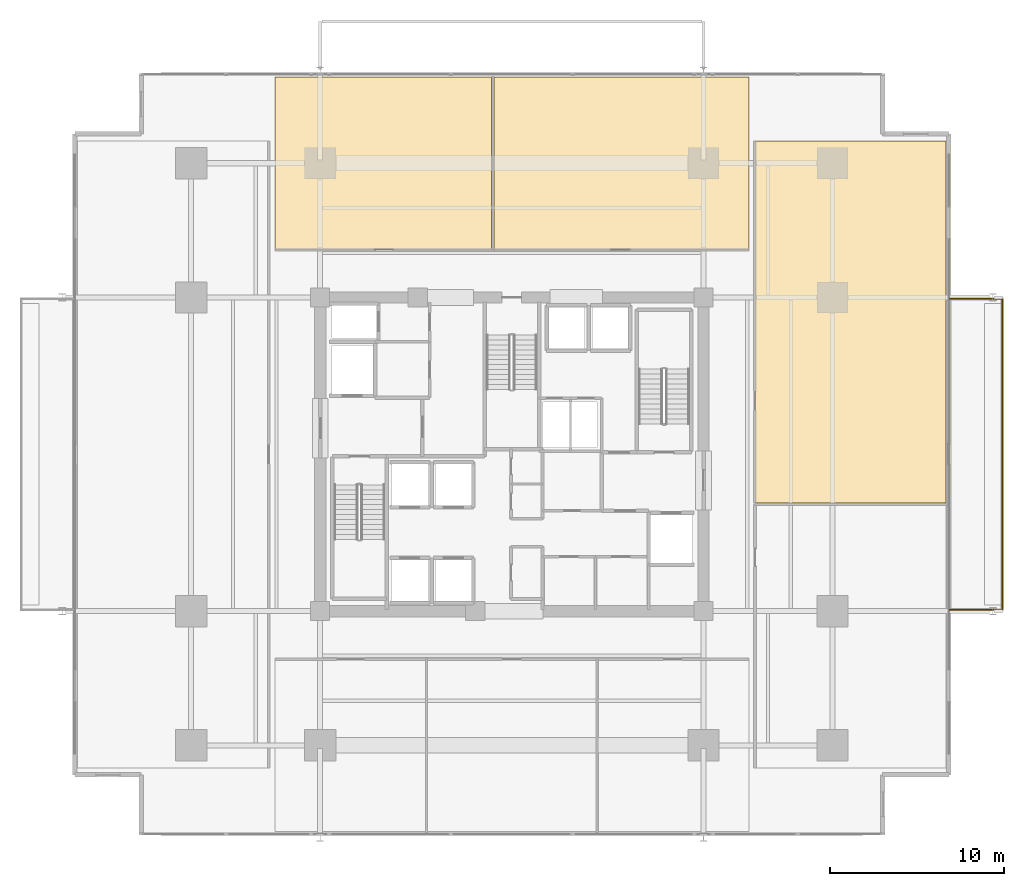
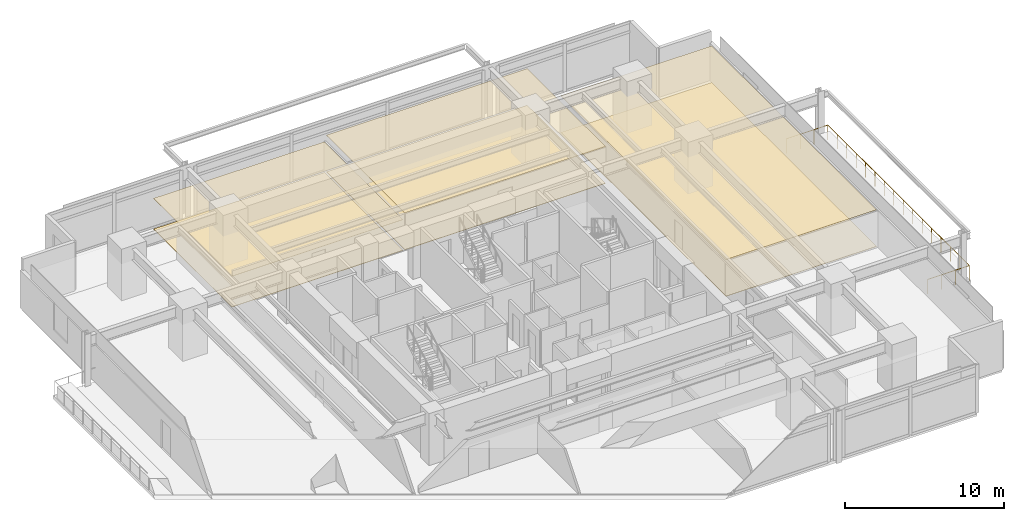
# One storey, part 20 of 20: 6 coverings, 1 railing.
"""IFC4 building model written with IfcOpenShell, lengths in metres."""

from ifc_helpers import new_model, si_unit, direction, frame, origin, origin_2d, place, context, subcontext, project, spatial, polyline, circle, outline, extrude, material, layer, layer_set, type_object, element, save


model = new_model("IFC4")

# Units and contexts
model_context = context("Model", 3, precision=1e-05, world=origin(), true_north=direction((0.0, 1.0)))
body_context = subcontext(model_context, "Body", "Model", "MODEL_VIEW")
ifc_project = project(units=[si_unit("LENGTHUNIT", "METRE"), si_unit("AREAUNIT", "SQUARE_METRE"), si_unit("VOLUMEUNIT", "CUBIC_METRE"), si_unit("PLANEANGLEUNIT", "RADIAN"), si_unit("MASSUNIT", "GRAM", prefix="KILO")], contexts=[model_context])

# Site, building, storey
site_placement = place(None, origin())
site = spatial("IfcSite", under=ifc_project, at=site_placement, CompositionType="ELEMENT")
building_placement = place(site_placement, origin())
building = spatial("IfcBuilding", under=site, at=building_placement, Name="Kovane Verandah Tower", CompositionType="ELEMENT")
storey_placement = place(building_placement, frame((0.0, 0.0, 35.60009765625)))
storey = spatial("IfcBuildingStorey", under=building, at=storey_placement, Name="L07", CompositionType="ELEMENT", Elevation=35.60009765625)

# Coverings
ifc_material_1 = material(Name="Perforated Acoustic Mineral-Fibre Ceiling Tile", Category="gypsum")
ifc_layer_1 = layer(ifc_material_1, 0.02490234375)
ifc_layer_set_1 = layer_set([ifc_layer_1], Name="Perforated Acoustic Mineral-Fibre Ceiling Tile")
covering_type_1 = type_object("IfcCoveringType", Name="CV-CEIL-25", PredefinedType="CEILING", material=ifc_layer_set_1)
covering_1_placement = place(storey_placement, frame((0.0, 0.0, 2.364990234375)))
element("IfcCovering", 1, at=covering_1_placement, inside=storey, type_object=covering_type_1, Name="L07 Open Plan Office N1 Acoustic Ceiling", PredefinedType="CEILING", context=body_context, shape_type="SweptSolid", body=[
    extrude(outline(polyline([(26.39990234375, 39.25), (38.842041015625, 39.25), (38.842041015625, 49.139404296875), (26.39990234375, 49.139404296875), (26.39990234375, 39.25)])), origin(), (0.0, 0.0, 1.0), 0.02490234375),
])
covering_2_placement = place(storey_placement, frame((0.0, 0.0, 2.824951171875)))
element("IfcCovering", 2, at=covering_2_placement, inside=storey, type_object=covering_type_1, Name="L07 Executive Office N2 Acoustic Ceiling", PredefinedType="CEILING", context=body_context, shape_type="SweptSolid", body=[
    extrude(outline(polyline([(38.98193359375, 39.25), (53.60009765625, 39.25), (53.60009765625, 49.139404296875), (38.98193359375, 49.139404296875), (38.98193359375, 39.25)])), origin(), (0.0, 0.0, 1.0), 0.02490234375),
])
covering_3_placement = place(storey_placement, frame((0.0, 0.0, 2.824951171875)))
element("IfcCovering", 3, at=covering_3_placement, inside=storey, type_object=covering_type_1, Name="L07 Document and Print Room E2 Acoustic Ceiling", PredefinedType="CEILING", context=body_context, shape_type="SweptSolid", body=[
    extrude(outline(polyline([(53.949951171875, 24.691650390625), (64.92041015625, 24.691650390625), (64.92041015625, 45.4892578125), (53.949951171875, 45.4892578125), (53.949951171875, 24.691650390625)])), origin(), (0.0, 0.0, 1.0), 0.02490234375),
])
ifc_material_2 = material(Name="Polished Terrazzo and Raised-Access Carpet Tile Finish", Category="concrete")
ifc_layer_2 = layer(ifc_material_2, 0.030029296875)
ifc_layer_set_2 = layer_set([ifc_layer_2], Name="Polished Terrazzo and Raised-Access Carpet Tile Finish")
covering_type_2 = type_object("IfcCoveringType", Name="CV-FLOR-30", PredefinedType="FLOORING", material=ifc_layer_set_2)
covering_4_placement = place(storey_placement, origin())
element("IfcCovering", 4, at=covering_4_placement, inside=storey, type_object=covering_type_2, Name="L07 Open Plan Office N1 Floor Finish", PredefinedType="FLOORING", context=body_context, shape_type="SweptSolid", body=[
    extrude(outline(polyline([(26.39990234375, 39.25), (38.842041015625, 39.25), (38.842041015625, 49.139404296875), (26.39990234375, 49.139404296875), (26.39990234375, 39.25)])), origin(), (0.0, 0.0, 1.0), 0.02978515625),
])
covering_5_placement = place(storey_placement, origin())
element("IfcCovering", 5, at=covering_5_placement, inside=storey, type_object=covering_type_2, Name="L07 Executive Office N2 Floor Finish", PredefinedType="FLOORING", context=body_context, shape_type="SweptSolid", body=[
    extrude(outline(polyline([(38.98193359375, 39.25), (53.60009765625, 39.25), (53.60009765625, 49.139404296875), (38.98193359375, 49.139404296875), (38.98193359375, 39.25)])), origin(), (0.0, 0.0, 1.0), 0.02978515625),
])
covering_6_placement = place(storey_placement, origin())
element("IfcCovering", 6, at=covering_6_placement, inside=storey, type_object=covering_type_2, Name="L07 Document and Print Room E2 Floor Finish", PredefinedType="FLOORING", context=body_context, shape_type="SweptSolid", body=[
    extrude(outline(polyline([(53.949951171875, 24.691650390625), (64.92041015625, 24.691650390625), (64.92041015625, 45.4892578125), (53.949951171875, 45.4892578125), (53.949951171875, 24.691650390625)])), origin(), (0.0, 0.0, 1.0), 0.02978515625),
])

# Railing
ifc_material_3 = material(Name="Laminated Glass and Pale-Champagne Stainless Balustrade", Category="glass")
railing_type = type_object("IfcRailingType", Name="RL-BAL-1150", PredefinedType="BALUSTRADE", material=ifc_material_3)
railing_placement = place(storey_placement, frame((65.120361328125, 18.580078125, 0.0)))
element("IfcRailing", 7, at=railing_placement, inside=storey, type_object=railing_type, Name="L07 E Verandah Glass Balustrade", PredefinedType="BALUSTRADE", context=body_context, shape_type="SweptSolid", body=[
    extrude(circle(Radius=0.02392578125, at=origin_2d()), frame((0.0, 0.0, 1.1259765625), z_axis=(1.0, 0.0, 0.0), x_axis=(0.0, 1.0, 0.0)), (0.0, 0.0, 1.0), 3.02001953125),
    extrude(circle(Radius=0.02392578125, at=origin_2d()), frame((3.02001953125, 0.0, 1.1259765625), z_axis=(0.0, 1.0, 0.0), x_axis=(-1.0, 0.0, 0.0)), (0.0, 0.0, 1.0), 17.83984375),
    extrude(circle(Radius=0.02392578125, at=origin_2d()), frame((3.02001953125, 17.83984375, 1.1259765625), z_axis=(-1.0, 0.0, 0.0), x_axis=(0.0, -1.0, 0.0)), (0.0, 0.0, 1.0), 3.02001953125),
    extrude(circle(Radius=0.02099609375, at=origin_2d()), origin(), (0.0, 0.0, 1.0), 1.101806640625),
    extrude(circle(Radius=0.02099609375, at=origin_2d()), frame((1.006591796875, 0.0, 0.0)), (0.0, 0.0, 1.0), 1.101806640625),
    extrude(circle(Radius=0.02099609375, at=origin_2d()), frame((2.013427734375, 0.0, 0.0)), (0.0, 0.0, 1.0), 1.101806640625),
    extrude(circle(Radius=0.02099609375, at=origin_2d()), frame((3.02001953125, 0.0, 0.0)), (0.0, 0.0, 1.0), 1.101806640625),
    extrude(circle(Radius=0.02099609375, at=origin_2d()), frame((3.02001953125, 1.189208984375, 0.0)), (0.0, 0.0, 1.0), 1.101806640625),
    extrude(circle(Radius=0.02099609375, at=origin_2d()), frame((3.02001953125, 2.378662109375, 0.0)), (0.0, 0.0, 1.0), 1.101806640625),
    extrude(circle(Radius=0.02099609375, at=origin_2d()), frame((3.02001953125, 3.56787109375, 0.0)), (0.0, 0.0, 1.0), 1.101806640625),
    extrude(circle(Radius=0.02099609375, at=origin_2d()), frame((3.02001953125, 4.75732421875, 0.0)), (0.0, 0.0, 1.0), 1.101806640625),
    extrude(circle(Radius=0.02099609375, at=origin_2d()), frame((3.02001953125, 5.946533203125, 0.0)), (0.0, 0.0, 1.0), 1.101806640625),
    extrude(circle(Radius=0.02099609375, at=origin_2d()), frame((3.02001953125, 7.135986328125, 0.0)), (0.0, 0.0, 1.0), 1.101806640625),
    extrude(circle(Radius=0.02099609375, at=origin_2d()), frame((3.02001953125, 8.3251953125, 0.0)), (0.0, 0.0, 1.0), 1.101806640625),
    extrude(circle(Radius=0.02099609375, at=origin_2d()), frame((3.02001953125, 9.5146484375, 0.0)), (0.0, 0.0, 1.0), 1.101806640625),
    extrude(circle(Radius=0.02099609375, at=origin_2d()), frame((3.02001953125, 10.703857421875, 0.0)), (0.0, 0.0, 1.0), 1.101806640625),
    extrude(circle(Radius=0.02099609375, at=origin_2d()), frame((3.02001953125, 11.893310546875, 0.0)), (0.0, 0.0, 1.0), 1.101806640625),
    extrude(circle(Radius=0.02099609375, at=origin_2d()), frame((3.02001953125, 13.08251953125, 0.0)), (0.0, 0.0, 1.0), 1.101806640625),
    extrude(circle(Radius=0.02099609375, at=origin_2d()), frame((3.02001953125, 14.27197265625, 0.0)), (0.0, 0.0, 1.0), 1.101806640625),
    extrude(circle(Radius=0.02099609375, at=origin_2d()), frame((3.02001953125, 15.461181640625, 0.0)), (0.0, 0.0, 1.0), 1.101806640625),
    extrude(circle(Radius=0.02099609375, at=origin_2d()), frame((3.02001953125, 16.650634765625, 0.0)), (0.0, 0.0, 1.0), 1.101806640625),
    extrude(circle(Radius=0.02099609375, at=origin_2d()), frame((3.02001953125, 17.83984375, 0.0)), (0.0, 0.0, 1.0), 1.101806640625),
    extrude(circle(Radius=0.02099609375, at=origin_2d()), frame((2.013427734375, 17.83984375, 0.0)), (0.0, 0.0, 1.0), 1.101806640625),
    extrude(circle(Radius=0.02099609375, at=origin_2d()), frame((1.006591796875, 17.83984375, 0.0)), (0.0, 0.0, 1.0), 1.101806640625),
    extrude(circle(Radius=0.02099609375, at=origin_2d()), frame((0.0, 17.83984375, 0.0)), (0.0, 0.0, 1.0), 1.101806640625),
])

save(model, "model.ifc")
